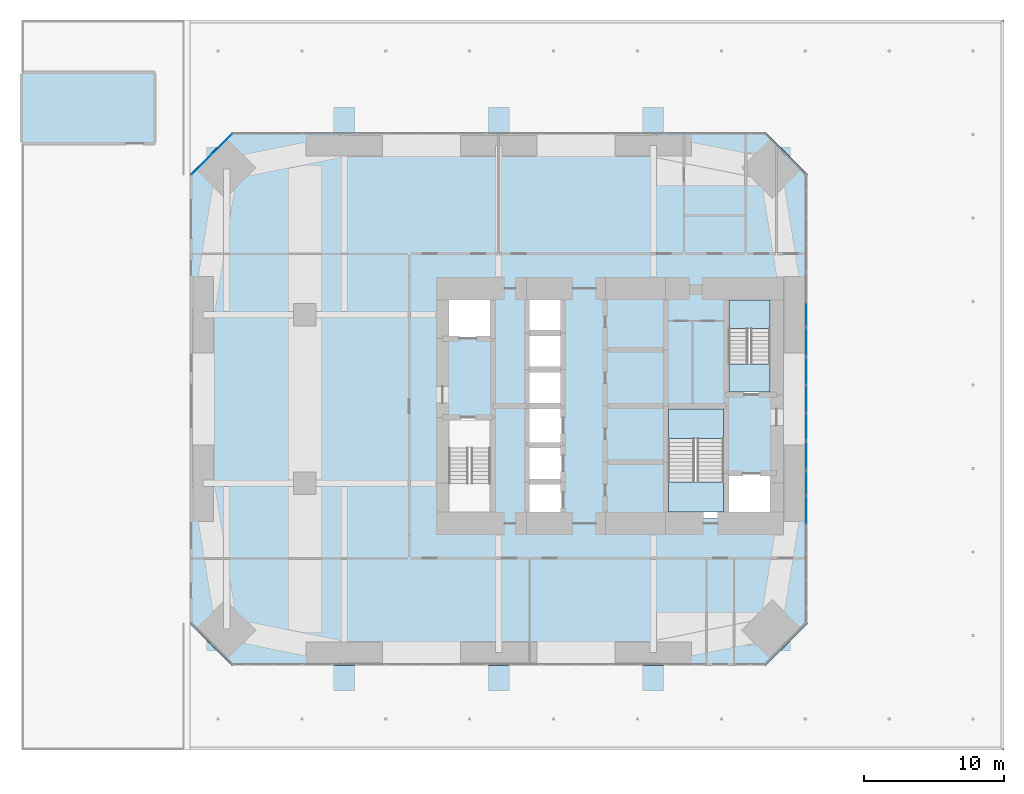
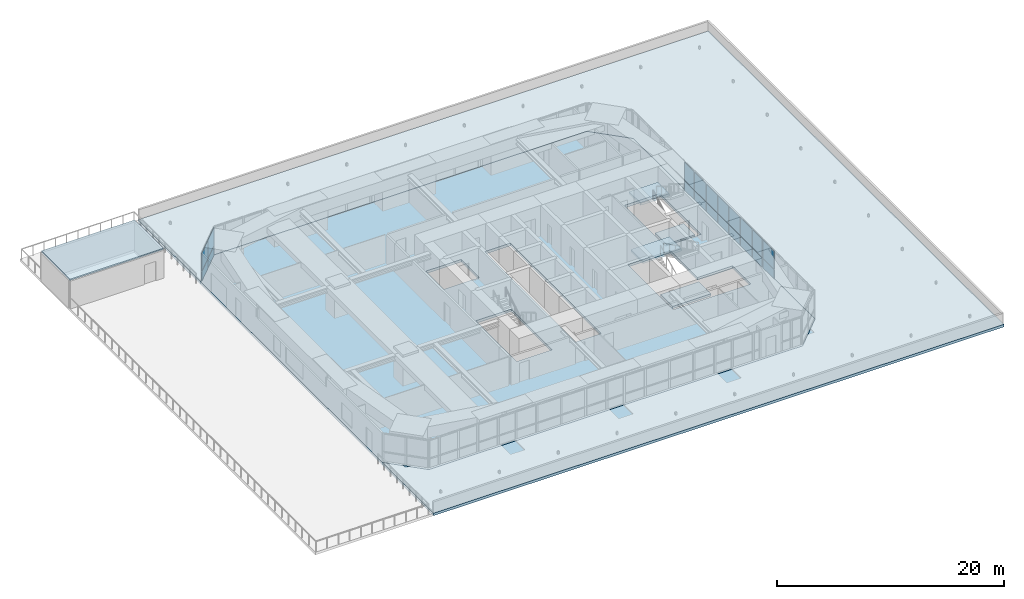
# One storey, part 11 of 20: 20 plates, 7 slabs, 9 elements without a shape of their own.
"""IFC4 building model written with IfcOpenShell, lengths in metres."""

from ifc_helpers import new_model, si_unit, direction, frame, origin, origin_2d, place, context, subcontext, project, spatial, polyline, rectangle, outline, extrude, material, layer, layer_set, type_object, element, aggregate, save


model = new_model("IFC4")

# Units and contexts
model_context = context("Model", 3, precision=1e-05, world=origin(), true_north=direction((0.0, 1.0)))
body_context = subcontext(model_context, "Body", "Model", "MODEL_VIEW")
ifc_project = project(units=[si_unit("LENGTHUNIT", "METRE"), si_unit("AREAUNIT", "SQUARE_METRE"), si_unit("VOLUMEUNIT", "CUBIC_METRE"), si_unit("PLANEANGLEUNIT", "RADIAN"), si_unit("MASSUNIT", "GRAM", prefix="KILO")], contexts=[model_context])

# Site, building, storey
site_placement = place(None, origin())
site = spatial("IfcSite", under=ifc_project, at=site_placement, CompositionType="ELEMENT")
building_placement = place(site_placement, origin())
building = spatial("IfcBuilding", under=site, at=building_placement, Name="Jalousie Tower", CompositionType="ELEMENT")
storey_placement = place(building_placement, frame((0.0, 0.0, 21.0)))
storey = spatial("IfcBuildingStorey", under=building, at=storey_placement, Name="L04", CompositionType="ELEMENT", Elevation=21.0)

# Curtain wall, plates
ifc_material_1 = material(Name="Aluminium curtain wall", Category="aluminium")
curtain_wall_type_1 = type_object("IfcCurtainWallType", Name="AMENITY SPANDREL WALL", PredefinedType="USERDEFINED", material=ifc_material_1)
curtain_wall_1_placement = place(storey_placement, origin())
curtain_wall_1 = element("IfcCurtainWall", 1, at=curtain_wall_1_placement, inside=storey, type_object=curtain_wall_type_1, Name="Amenity Spandrel Wall L04 23", ObjectType="AMENITY SPANDREL WALL", PredefinedType="USERDEFINED")
ifc_material_2 = material(Name="Laminated impact-rated spandrel glass", Category="glass")
ifc_layer_1 = layer(ifc_material_2, 0.031982421875)
ifc_layer_set_1 = layer_set([ifc_layer_1], Name="Laminated impact-rated spandrel glass")
plate_type_1 = type_object("IfcPlateType", Name="AMENITY SPANDREL WALL PANEL", PredefinedType="CURTAIN_PANEL", material=ifc_layer_set_1)
plate_1_placement = place(storey_placement, frame((45.91259765625, 11.045166015625, 0.06494140625), z_axis=(0.0, 0.0, 1.0), x_axis=(0.0, 1.0, 0.0)))
plate_1 = element("IfcPlate", 2, at=plate_1_placement, type_object=plate_type_1, Name="CW-AS panel 1.1", PredefinedType="CURTAIN_PANEL", context=body_context, shape_type="SweptSolid", body=[
    extrude(rectangle(XDim=1.989501953125, YDim=0.031982421875, at=origin_2d()), origin(), (0.0, 0.0, 1.0), 1.00244140625),
])
plate_2_placement = place(storey_placement, frame((45.91259765625, 11.045166015625, 1.132568359375), z_axis=(0.0, 0.0, 1.0), x_axis=(0.0, 1.0, 0.0)))
plate_2 = element("IfcPlate", 3, at=plate_2_placement, type_object=plate_type_1, Name="CW-AS panel 1.2", PredefinedType="CURTAIN_PANEL", context=body_context, shape_type="SweptSolid", body=[
    extrude(rectangle(XDim=1.989501953125, YDim=0.031982421875, at=origin_2d()), origin(), (0.0, 0.0, 1.0), 1.91259765625),
])
aggregate(curtain_wall_1, [plate_1, plate_2])

curtain_wall_2_placement = place(storey_placement, origin())
curtain_wall_2 = element("IfcCurtainWall", 4, at=curtain_wall_2_placement, inside=storey, type_object=curtain_wall_type_1, Name="Amenity Spandrel Wall L04 25", ObjectType="AMENITY SPANDREL WALL", PredefinedType="USERDEFINED")
plate_3_placement = place(storey_placement, frame((45.91259765625, 14.954833984375, 0.06494140625), z_axis=(0.0, 0.0, 1.0), x_axis=(0.0, 1.0, 0.0)))
plate_3 = element("IfcPlate", 5, at=plate_3_placement, type_object=plate_type_1, Name="CW-AS panel 1.1", PredefinedType="CURTAIN_PANEL", context=body_context, shape_type="SweptSolid", body=[
    extrude(rectangle(XDim=1.989501953125, YDim=0.031982421875, at=origin_2d()), origin(), (0.0, 0.0, 1.0), 1.00244140625),
])
plate_4_placement = place(storey_placement, frame((45.91259765625, 14.954833984375, 1.132568359375), z_axis=(0.0, 0.0, 1.0), x_axis=(0.0, 1.0, 0.0)))
plate_4 = element("IfcPlate", 6, at=plate_4_placement, type_object=plate_type_1, Name="CW-AS panel 1.2", PredefinedType="CURTAIN_PANEL", context=body_context, shape_type="SweptSolid", body=[
    extrude(rectangle(XDim=1.989501953125, YDim=0.031982421875, at=origin_2d()), origin(), (0.0, 0.0, 1.0), 1.91259765625),
])
aggregate(curtain_wall_2, [plate_3, plate_4])

curtain_wall_3_placement = place(storey_placement, origin())
curtain_wall_3 = element("IfcCurtainWall", 7, at=curtain_wall_3_placement, inside=storey, type_object=curtain_wall_type_1, Name="Amenity Spandrel Wall L04 27", ObjectType="AMENITY SPANDREL WALL", PredefinedType="USERDEFINED")
plate_5_placement = place(storey_placement, frame((45.91259765625, 23.045166015625, 0.06494140625), z_axis=(0.0, 0.0, 1.0), x_axis=(0.0, 1.0, 0.0)))
plate_5 = element("IfcPlate", 8, at=plate_5_placement, type_object=plate_type_1, Name="CW-AS panel 1.1", PredefinedType="CURTAIN_PANEL", context=body_context, shape_type="SweptSolid", body=[
    extrude(rectangle(XDim=1.989501953125, YDim=0.031982421875, at=origin_2d()), origin(), (0.0, 0.0, 1.0), 1.00244140625),
])
plate_6_placement = place(storey_placement, frame((45.91259765625, 23.045166015625, 1.132568359375), z_axis=(0.0, 0.0, 1.0), x_axis=(0.0, 1.0, 0.0)))
plate_6 = element("IfcPlate", 9, at=plate_6_placement, type_object=plate_type_1, Name="CW-AS panel 1.2", PredefinedType="CURTAIN_PANEL", context=body_context, shape_type="SweptSolid", body=[
    extrude(rectangle(XDim=1.989501953125, YDim=0.031982421875, at=origin_2d()), origin(), (0.0, 0.0, 1.0), 1.91259765625),
])
aggregate(curtain_wall_3, [plate_5, plate_6])

curtain_wall_4_placement = place(storey_placement, origin())
curtain_wall_4 = element("IfcCurtainWall", 10, at=curtain_wall_4_placement, inside=storey, type_object=curtain_wall_type_1, Name="Amenity Spandrel Wall L04 6", ObjectType="AMENITY SPANDREL WALL", PredefinedType="USERDEFINED")
plate_7_placement = place(storey_placement, frame((4.298828125, 37.16015625, 0.06494140625), z_axis=(0.0, 0.0, 1.0), x_axis=(-0.707106781187, -0.707106781187, 0.0)))
plate_7 = element("IfcPlate", 11, at=plate_7_placement, type_object=plate_type_1, Name="CW-AS panel 1.1", PredefinedType="CURTAIN_PANEL", context=body_context, shape_type="SweptSolid", body=[
    extrude(rectangle(XDim=1.998291015625, YDim=0.031982421875, at=origin_2d()), origin(), (0.0, 0.0, 1.0), 1.00244140625),
])
plate_8_placement = place(storey_placement, frame((4.298828125, 37.16015625, 1.132568359375), z_axis=(0.0, 0.0, 1.0), x_axis=(-0.707106781187, -0.707106781187, 0.0)))
plate_8 = element("IfcPlate", 12, at=plate_8_placement, type_object=plate_type_1, Name="CW-AS panel 1.2", PredefinedType="CURTAIN_PANEL", context=body_context, shape_type="SweptSolid", body=[
    extrude(rectangle(XDim=1.998291015625, YDim=0.031982421875, at=origin_2d()), origin(), (0.0, 0.0, 1.0), 1.91259765625),
])
plate_9_placement = place(storey_placement, frame((2.83984375, 35.701171875, 0.06494140625), z_axis=(0.0, 0.0, 1.0), x_axis=(-0.707106781187, -0.707106781187, 0.0)))
plate_9 = element("IfcPlate", 13, at=plate_9_placement, type_object=plate_type_1, Name="CW-AS panel 2.1", PredefinedType="CURTAIN_PANEL", context=body_context, shape_type="SweptSolid", body=[
    extrude(rectangle(XDim=1.998291015625, YDim=0.031982421875, at=origin_2d()), origin(), (0.0, 0.0, 1.0), 1.00244140625),
])
plate_10_placement = place(storey_placement, frame((2.83984375, 35.701171875, 1.132568359375), z_axis=(0.0, 0.0, 1.0), x_axis=(-0.707106781187, -0.707106781187, 0.0)))
plate_10 = element("IfcPlate", 14, at=plate_10_placement, type_object=plate_type_1, Name="CW-AS panel 2.2", PredefinedType="CURTAIN_PANEL", context=body_context, shape_type="SweptSolid", body=[
    extrude(rectangle(XDim=1.998291015625, YDim=0.031982421875, at=origin_2d()), origin(), (0.0, 0.0, 1.0), 1.91259765625),
])
aggregate(curtain_wall_4, [plate_7, plate_8, plate_9, plate_10])

ifc_material_3 = material(Name="Aluminium curtain wall", Category="aluminium")
curtain_wall_type_2 = type_object("IfcCurtainWallType", Name="AMENITY WINDOW WALL", PredefinedType="USERDEFINED", material=ifc_material_3)
curtain_wall_5_placement = place(storey_placement, origin())
curtain_wall_5 = element("IfcCurtainWall", 15, at=curtain_wall_5_placement, inside=storey, type_object=curtain_wall_type_2, Name="Amenity Window Wall L04 24", ObjectType="AMENITY WINDOW WALL", PredefinedType="USERDEFINED")
ifc_material_4 = material(Name="Laminated impact-rated glass", Category="glass")
ifc_layer_2 = layer(ifc_material_4, 0.031982421875)
ifc_layer_set_2 = layer_set([ifc_layer_2], Name="Laminated impact-rated glass")
plate_type_2 = type_object("IfcPlateType", Name="AMENITY WINDOW WALL PANEL", PredefinedType="CURTAIN_PANEL", material=ifc_layer_set_2)
plate_11_placement = place(storey_placement, frame((45.91259765625, 13.0, 0.06494140625), z_axis=(0.0, 0.0, 1.0), x_axis=(0.0, 1.0, 0.0)))
plate_11 = element("IfcPlate", 16, at=plate_11_placement, type_object=plate_type_2, Name="CW-A panel 1.1", PredefinedType="CURTAIN_PANEL", context=body_context, shape_type="SweptSolid", body=[
    extrude(rectangle(XDim=1.66015625, YDim=0.031982421875, at=origin_2d()), origin(), (0.0, 0.0, 1.0), 1.00244140625),
])
plate_12_placement = place(storey_placement, frame((45.91259765625, 13.0, 1.132568359375), z_axis=(0.0, 0.0, 1.0), x_axis=(0.0, 1.0, 0.0)))
plate_12 = element("IfcPlate", 17, at=plate_12_placement, type_object=plate_type_2, Name="CW-A panel 1.2", PredefinedType="CURTAIN_PANEL", context=body_context, shape_type="SweptSolid", body=[
    extrude(rectangle(XDim=1.66015625, YDim=0.031982421875, at=origin_2d()), origin(), (0.0, 0.0, 1.0), 1.91259765625),
])
aggregate(curtain_wall_5, [plate_11, plate_12])

curtain_wall_6_placement = place(storey_placement, origin())
curtain_wall_6 = element("IfcCurtainWall", 18, at=curtain_wall_6_placement, inside=storey, type_object=curtain_wall_type_2, Name="Amenity Window Wall L04 26", ObjectType="AMENITY WINDOW WALL", PredefinedType="USERDEFINED")
plate_13_placement = place(storey_placement, frame((45.91259765625, 17.02587890625, 0.06494140625), z_axis=(0.0, 0.0, 1.0), x_axis=(0.0, 1.0, 0.0)))
plate_13 = element("IfcPlate", 19, at=plate_13_placement, type_object=plate_type_2, Name="CW-A panel 1.1", PredefinedType="CURTAIN_PANEL", context=body_context, shape_type="SweptSolid", body=[
    extrude(rectangle(XDim=1.892822265625, YDim=0.031982421875, at=origin_2d()), origin(), (0.0, 0.0, 1.0), 1.00244140625),
])
plate_14_placement = place(storey_placement, frame((45.91259765625, 17.02587890625, 1.132568359375), z_axis=(0.0, 0.0, 1.0), x_axis=(0.0, 1.0, 0.0)))
plate_14 = element("IfcPlate", 20, at=plate_14_placement, type_object=plate_type_2, Name="CW-A panel 1.2", PredefinedType="CURTAIN_PANEL", context=body_context, shape_type="SweptSolid", body=[
    extrude(rectangle(XDim=1.892822265625, YDim=0.031982421875, at=origin_2d()), origin(), (0.0, 0.0, 1.0), 1.91259765625),
])
plate_15_placement = place(storey_placement, frame((45.91259765625, 19.0, 0.06494140625), z_axis=(0.0, 0.0, 1.0), x_axis=(0.0, 1.0, 0.0)))
plate_15 = element("IfcPlate", 21, at=plate_15_placement, type_object=plate_type_2, Name="CW-A panel 2.1", PredefinedType="CURTAIN_PANEL", context=body_context, shape_type="SweptSolid", body=[
    extrude(rectangle(XDim=1.92529296875, YDim=0.031982421875, at=origin_2d()), origin(), (0.0, 0.0, 1.0), 1.00244140625),
])
plate_16_placement = place(storey_placement, frame((45.91259765625, 19.0, 1.132568359375), z_axis=(0.0, 0.0, 1.0), x_axis=(0.0, 1.0, 0.0)))
plate_16 = element("IfcPlate", 22, at=plate_16_placement, type_object=plate_type_2, Name="CW-A panel 2.2", PredefinedType="CURTAIN_PANEL", context=body_context, shape_type="SweptSolid", body=[
    extrude(rectangle(XDim=1.92529296875, YDim=0.031982421875, at=origin_2d()), origin(), (0.0, 0.0, 1.0), 1.91259765625),
])
plate_17_placement = place(storey_placement, frame((45.91259765625, 20.97412109375, 0.06494140625), z_axis=(0.0, 0.0, 1.0), x_axis=(0.0, 1.0, 0.0)))
plate_17 = element("IfcPlate", 23, at=plate_17_placement, type_object=plate_type_2, Name="CW-A panel 3.1", PredefinedType="CURTAIN_PANEL", context=body_context, shape_type="SweptSolid", body=[
    extrude(rectangle(XDim=1.892822265625, YDim=0.031982421875, at=origin_2d()), origin(), (0.0, 0.0, 1.0), 1.00244140625),
])
plate_18_placement = place(storey_placement, frame((45.91259765625, 20.97412109375, 1.132568359375), z_axis=(0.0, 0.0, 1.0), x_axis=(0.0, 1.0, 0.0)))
plate_18 = element("IfcPlate", 24, at=plate_18_placement, type_object=plate_type_2, Name="CW-A panel 3.2", PredefinedType="CURTAIN_PANEL", context=body_context, shape_type="SweptSolid", body=[
    extrude(rectangle(XDim=1.892822265625, YDim=0.031982421875, at=origin_2d()), origin(), (0.0, 0.0, 1.0), 1.91259765625),
])
aggregate(curtain_wall_6, [plate_13, plate_14, plate_15, plate_16, plate_17, plate_18])

curtain_wall_7_placement = place(storey_placement, origin())
curtain_wall_7 = element("IfcCurtainWall", 25, at=curtain_wall_7_placement, inside=storey, type_object=curtain_wall_type_2, Name="Amenity Window Wall L04 28", ObjectType="AMENITY WINDOW WALL", PredefinedType="USERDEFINED")
plate_19_placement = place(storey_placement, frame((45.91259765625, 25.0, 0.06494140625), z_axis=(0.0, 0.0, 1.0), x_axis=(0.0, 1.0, 0.0)))
plate_19 = element("IfcPlate", 26, at=plate_19_placement, type_object=plate_type_2, Name="CW-A panel 1.1", PredefinedType="CURTAIN_PANEL", context=body_context, shape_type="SweptSolid", body=[
    extrude(rectangle(XDim=1.66015625, YDim=0.031982421875, at=origin_2d()), origin(), (0.0, 0.0, 1.0), 1.00244140625),
])
plate_20_placement = place(storey_placement, frame((45.91259765625, 25.0, 1.132568359375), z_axis=(0.0, 0.0, 1.0), x_axis=(0.0, 1.0, 0.0)))
plate_20 = element("IfcPlate", 27, at=plate_20_placement, type_object=plate_type_2, Name="CW-A panel 1.2", PredefinedType="CURTAIN_PANEL", context=body_context, shape_type="SweptSolid", body=[
    extrude(rectangle(XDim=1.66015625, YDim=0.031982421875, at=origin_2d()), origin(), (0.0, 0.0, 1.0), 1.91259765625),
])
aggregate(curtain_wall_7, [plate_19, plate_20])

# Slabs
ifc_material_5 = material(Name="Concrete f'c 40 MPa", Category="concrete")
ifc_layer_3 = layer(ifc_material_5, 0.280029296875)
ifc_layer_set_3 = layer_set([ifc_layer_3], Name="Concrete f'c 40 MPa")
slab_type_1 = type_object("IfcSlabType", Name="FLOOR SLAB 280", PredefinedType="FLOOR", material=ifc_layer_set_3)
slab_1_placement = place(storey_placement, frame((0.0, 0.0, -0.280029296875)))
element("IfcSlab", 28, at=slab_1_placement, inside=storey, type_object=slab_type_1, Name="L04 floor slab", PredefinedType="FLOOR", context=body_context, shape_type="SweptSolid", body=[
    extrude(outline(polyline([(5.0, 0.0), (43.0, 0.0), (46.0, 3.0), (46.0, 35.0), (43.0, 38.0), (5.0, 38.0), (2.0, 35.0), (2.0, 3.0), (5.0, 0.0)]), holes=[polyline([(26.0, 10.5), (26.0, 26.5), (28.60009765625, 26.5), (28.60009765625, 10.5), (26.0, 10.5)]), polyline([(20.0, 10.5), (23.60009765625, 10.5), (23.60009765625, 17.699951171875), (20.0, 17.699951171875), (20.0, 10.5)]), polyline([(20.0, 23.300048828125), (23.60009765625, 23.300048828125), (23.60009765625, 26.5), (20.0, 26.5), (20.0, 23.300048828125)]), polyline([(35.89990234375, 10.5), (35.89990234375, 18.5), (40.199951171875, 18.5), (40.199951171875, 13.699951171875), (43.800048828125, 13.699951171875), (43.800048828125, 10.5), (35.89990234375, 10.5)]), polyline([(40.199951171875, 19.300048828125), (43.800048828125, 19.300048828125), (43.800048828125, 26.5), (40.199951171875, 26.5), (40.199951171875, 19.300048828125)])]), origin(), (0.0, 0.0, 1.0), 0.280029296875),
])
ifc_material_6 = material(Name="Concrete f'c 40 MPa", Category="concrete")
ifc_layer_4 = layer(ifc_material_6, 0.280029296875)
ifc_layer_set_4 = layer_set([ifc_layer_4], Name="Concrete f'c 40 MPa")
slab_type_2 = type_object("IfcSlabType", Name="PODIUM ROOF SLAB 280", PredefinedType="ROOF", material=ifc_layer_set_4)
slab_2_placement = place(storey_placement, frame((0.0, 0.0, -0.280029296875)))
element("IfcSlab", 29, at=slab_2_placement, inside=storey, type_object=slab_type_2, Name="Planted roof - maintenance only", PredefinedType="ROOF", context=body_context, shape_type="SweptSolid", body=[
    extrude(outline(polyline([(2.0, 46.0), (60.0, 46.0), (60.0, -6.0), (2.0, -6.0), (2.0, 3.0), (5.0, 0.0), (43.0, 0.0), (46.0, 3.0), (46.0, 35.0), (43.0, 38.0), (5.0, 38.0), (2.0, 35.0), (2.0, 46.0)])), origin(), (0.0, 0.0, 1.0), 0.280029296875),
])
ifc_material_7 = material(Name="Concrete f'c 40 MPa", Category="concrete")
ifc_layer_5 = layer(ifc_material_7, 0.14990234375)
ifc_layer_set_5 = layer_set([ifc_layer_5], Name="Concrete f'c 40 MPa")
slab_type_3 = type_object("IfcSlabType", Name="STAIR HEAD HOUSE ROOF 150", PredefinedType="ROOF", material=ifc_layer_set_5)
slab_3_placement = place(storey_placement, frame((0.0, 0.0, 3.0)))
element("IfcSlab", 30, at=slab_3_placement, inside=storey, type_object=slab_type_3, Name="Stair PS1 head house roof", PredefinedType="ROOF", context=body_context, shape_type="SweptSolid", body=[
    extrude(outline(polyline([(-10.0, 37.199951171875), (-0.5, 37.199951171875), (-0.5, 42.25), (-10.0, 42.25), (-10.0, 37.199951171875)])), origin(), (0.0, 0.0, 1.0), 0.14990234375),
])

# Stair, slabs
ifc_material_8 = material(Name="Concrete f'c 40 MPa", Category="concrete")
stair_type = type_object("IfcStairType", Name="EXIT STAIR", PredefinedType="HALF_TURN_STAIR", material=ifc_material_8)
stair_1_placement = place(storey_placement, origin())
stair_1 = element("IfcStair", 31, at=stair_1_placement, inside=storey, type_object=stair_type, Name="Exit stair B L04", PredefinedType="HALF_TURN_STAIR")
ifc_material_9 = material(Name="Concrete f'c 40 MPa", Category="concrete")
ifc_layer_6 = layer(ifc_material_9, 0.25)
ifc_layer_set_6 = layer_set([ifc_layer_6], Name="Concrete f'c 40 MPa")
slab_type_4 = type_object("IfcSlabType", Name="STAIR LANDING 250", PredefinedType="LANDING", material=ifc_layer_set_6)
slab_4_placement = place(storey_placement, frame((0.0, 0.0, -0.25)))
slab_4 = element("IfcSlab", 32, at=slab_4_placement, type_object=slab_type_4, Name="ST-B landing 1", PredefinedType="LANDING", context=body_context, shape_type="SweptSolid", body=[
    extrude(outline(polyline([(40.39990234375, 19.5), (43.324951171875, 19.5), (43.324951171875, 21.50244140625), (40.39990234375, 21.50244140625), (40.39990234375, 19.5)])), origin(), (0.0, 0.0, 1.0), 0.25),
])
slab_5_placement = place(storey_placement, frame((0.0, 0.0, 1.425048828125)))
slab_5 = element("IfcSlab", 33, at=slab_5_placement, type_object=slab_type_4, Name="ST-B landing 2", PredefinedType="LANDING", context=body_context, shape_type="SweptSolid", body=[
    extrude(outline(polyline([(40.39990234375, 24.0224609375), (43.324951171875, 24.0224609375), (43.324951171875, 26.050048828125), (40.39990234375, 26.050048828125), (40.39990234375, 24.0224609375)])), origin(), (0.0, 0.0, 1.0), 0.25),
])
aggregate(stair_1, [slab_4, slab_5])

stair_2_placement = place(storey_placement, origin())
stair_2 = element("IfcStair", 34, at=stair_2_placement, inside=storey, type_object=stair_type, Name="Exit stair C L04", PredefinedType="HALF_TURN_STAIR")
slab_6_placement = place(storey_placement, frame((0.0, 0.0, -0.25)))
slab_6 = element("IfcSlab", 35, at=slab_6_placement, type_object=slab_type_4, Name="ST-C landing 1", PredefinedType="LANDING", context=body_context, shape_type="SweptSolid", body=[
    extrude(outline(polyline([(36.10009765625, 10.949951171875), (40.0, 10.949951171875), (40.0, 13.097412109375), (36.10009765625, 13.097412109375), (36.10009765625, 10.949951171875)])), origin(), (0.0, 0.0, 1.0), 0.25),
])
slab_7_placement = place(storey_placement, frame((0.0, 0.0, 1.425048828125)))
slab_7 = element("IfcSlab", 36, at=slab_7_placement, type_object=slab_type_4, Name="ST-C landing 2", PredefinedType="LANDING", context=body_context, shape_type="SweptSolid", body=[
    extrude(outline(polyline([(36.10009765625, 16.177490234375), (40.0, 16.177490234375), (40.0, 18.300048828125), (36.10009765625, 18.300048828125), (36.10009765625, 16.177490234375)])), origin(), (0.0, 0.0, 1.0), 0.25),
])
aggregate(stair_2, [slab_6, slab_7])

save(model, "model.ifc")
